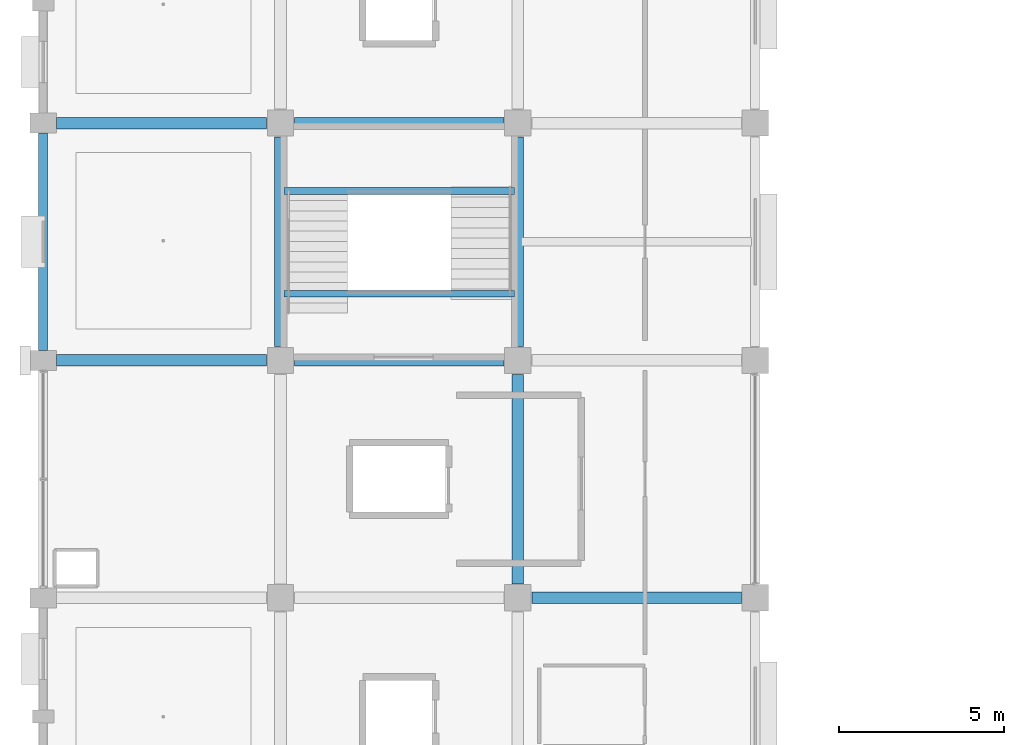
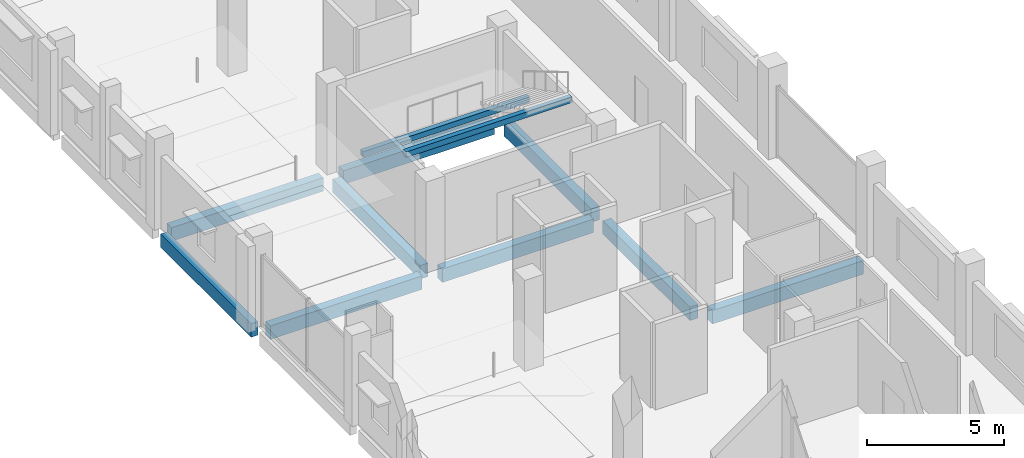
# One storey, part 8 of 108: 11 beams.
"""IFC4 building model written with IfcOpenShell, lengths in metres."""

import ifcopenshell
import ifcopenshell.guid

model = None  # the IFC model being written
_history = None  # IfcOwnerHistory: only IFC2X3 demands one
_inside = {}  # id of a spatial element -> (the spatial element, [elements in it])
_under = {}  # id of a project, library or spatial element -> (it, [spatial elements below it])
_declared = {}  # id of a project -> (the project, [libraries it declares])
_typed = {}  # id of a type object -> (the type object, [elements of that type])
_made_of = {}  # id of a material, layer set ... -> (it, [elements and type objects made of it])


def new_model(schema):
    """Start an empty IFC model of exactly this schema.

    Asked for "IFC4X3", IfcOpenShell would pick the latest addendum, in which some entities
    have other attributes; the version numbers below select the first issue.
    IFC2X3 requires an IfcOwnerHistory on every rooted entity: one is made here for all.
    """
    global model, _history
    if schema == "IFC4X3":
        model = ifcopenshell.file(schema_version=(4, 3, 0, 0))
    else:
        model = ifcopenshell.file(schema=schema)
    _inside.clear()
    _under.clear()
    _declared.clear()
    _typed.clear()
    _made_of.clear()
    _history = None
    if model.schema == "IFC2X3":
        org = make("IfcOrganization", Name="unknown")
        user = make(
            "IfcPersonAndOrganization",
            ThePerson=make("IfcPerson", FamilyName="unknown"),
            TheOrganization=org,
        )
        app = make(
            "IfcApplication",
            ApplicationDeveloper=org,
            Version="unknown",
            ApplicationFullName="unknown",
            ApplicationIdentifier="unknown",
        )
        _history = make(
            "IfcOwnerHistory",
            OwningUser=user,
            OwningApplication=app,
            ChangeAction="ADDED",
            CreationDate=0,
        )
    return model


def make(cls, **values):
    """One entity of the class cls with the attributes given. An attribute that is None is left unset."""
    return model.create_entity(
        cls, **{name: value for name, value in values.items() if value is not None}
    )


def rooted(cls, **values):
    """An entity with a GlobalId (a new one), such as an element, a storey or a relation."""
    return make(cls, GlobalId=ifcopenshell.guid.new(), OwnerHistory=_history, **values)


def si_unit(unit_type, name, prefix=None):
    """IfcSIUnit, for example si_unit("LENGTHUNIT", "METRE", prefix="MILLI")."""
    return make("IfcSIUnit", UnitType=unit_type, Prefix=prefix, Name=name)


def assignment(units):
    """IfcUnitAssignment: the units of a project."""
    return None if units is None else make("IfcUnitAssignment", Units=units)


def point(xyz):
    """IfcCartesianPoint."""
    return None if xyz is None else make("IfcCartesianPoint", Coordinates=xyz)


def direction(xyz):
    """IfcDirection."""
    return None if xyz is None else make("IfcDirection", DirectionRatios=xyz)


def frame(location, z_axis=None, x_axis=None):
    """IfcAxis2Placement3D, a coordinate frame: its origin and axes. An axis left out is left unset."""
    return make(
        "IfcAxis2Placement3D",
        Location=point(location),
        Axis=direction(z_axis),
        RefDirection=direction(x_axis),
    )


def frame_2d(location, x_axis=None):
    """IfcAxis2Placement2D, a coordinate frame in the plane: its origin and x axis."""
    return make(
        "IfcAxis2Placement2D", Location=point(location), RefDirection=direction(x_axis)
    )


def origin():
    """The frame at (0, 0, 0) with its axes left unset."""
    return frame((0.0, 0.0, 0.0))


def origin_2d():
    """The frame at (0, 0) in the plane with its x axis left unset."""
    return frame_2d((0.0, 0.0))


def place(relative_to, where):
    """IfcLocalPlacement: puts the frame where relative to a parent placement (None: the world)."""
    return make(
        "IfcLocalPlacement", PlacementRelTo=relative_to, RelativePlacement=where
    )


def context(
    kind, dimensions, precision=None, world=None, true_north=None, identifier=None
):
    """IfcGeometricRepresentationContext, for example the 3D "Model" context."""
    return make(
        "IfcGeometricRepresentationContext",
        ContextIdentifier=identifier,
        ContextType=kind,
        CoordinateSpaceDimension=dimensions,
        Precision=precision,
        WorldCoordinateSystem=world,
        TrueNorth=true_north,
    )


def subcontext(parent, identifier, kind, view, scale=None):
    """IfcGeometricRepresentationSubContext, for example "Body" below "Model"."""
    return make(
        "IfcGeometricRepresentationSubContext",
        ContextIdentifier=identifier,
        ContextType=kind,
        ParentContext=parent,
        TargetScale=scale,
        TargetView=view,
    )


def project(units=None, contexts=None):
    """IfcProject with its units and contexts."""
    return rooted(
        "IfcProject",
        Name="project",
        RepresentationContexts=contexts,
        UnitsInContext=assignment(units),
    )


def spatial(cls, under=None, at=None, **own):
    """A site, building, storey or space (cls), placed at a placement, below another one or the project."""
    s = rooted(cls, ObjectPlacement=at, **own)
    if under is not None:
        _under.setdefault(under.id(), (under, []))[1].append(s)
    return s


def profile(cls, at=None, kind="AREA", **sizes):
    """A parametric profile (cls). Its sizes go by their IFC names, for example OverallWidth=200.0."""
    return make(cls, ProfileType=kind, Position=at, **sizes)


def rectangle(**sizes):
    """IfcRectangleProfileDef."""
    return profile("IfcRectangleProfileDef", **sizes)


def extrude(swept, where, along, depth):
    """IfcExtrudedAreaSolid: the profile swept, set in the frame where, extruded along a direction by depth."""
    return make(
        "IfcExtrudedAreaSolid",
        SweptArea=swept,
        Position=where,
        ExtrudedDirection=direction(along),
        Depth=depth,
    )


def shape(context_of_items, identifier, shape_type, items):
    """IfcShapeRepresentation: the items that make up one representation, for example the "Body"."""
    return make(
        "IfcShapeRepresentation",
        ContextOfItems=context_of_items,
        RepresentationIdentifier=identifier,
        RepresentationType=shape_type,
        Items=items,
    )


def material(Name=None, Category=None):
    """IfcMaterial."""
    return make("IfcMaterial", Name=Name, Category=Category)


def material_profile(
    of_material, cross_section, Name=None, Category=None, Priority=None
):
    """IfcMaterialProfile: a cross section and its material."""
    return make(
        "IfcMaterialProfile",
        Name=Name,
        Material=of_material,
        Profile=cross_section,
        Priority=Priority,
        Category=Category,
    )


def profile_set(profiles, Name=None, composite=None):
    """IfcMaterialProfileSet."""
    return make(
        "IfcMaterialProfileSet",
        Name=Name,
        MaterialProfiles=profiles,
        CompositeProfile=composite,
    )


def made_of(thing, what):
    """Note that an element or type object is made of a material, layer set ...; save() writes the relation."""
    if what is not None:
        _made_of.setdefault(what.id(), (what, []))[1].append(thing)
    return thing


def type_object(cls, material=None, **own):
    """A type object (cls), such as IfcWallType, which elements share."""
    return made_of(rooted(cls, **own), material)


def element(
    cls,
    number,
    at=None,
    inside=None,
    cuts=None,
    type_object=None,
    material=None,
    context=None,
    identifier="Body",
    shape_type=None,
    held_by="IfcProductDefinitionShape",
    body=None,
    shapes=None,
    **own,
):
    """One element of the class cls, such as IfcWall. Its Tag is "e" and its number.

    at: its placement. inside: the storey or other place that contains it. cuts: it is an
    opening in that element (IfcRelVoidsElement). A single representation is given by context,
    identifier, shape_type and body (its items); several are given by shapes. held_by: the class
    of the entity that holds the representations. save() writes the other relations.
    """
    e = rooted(cls, Tag="e%d" % number, ObjectPlacement=at, **own)
    if body is not None:
        shapes = [shape(context, identifier, shape_type, body)]
    if shapes is not None:
        e.Representation = make(held_by, Representations=shapes)
    if inside is not None:
        _inside.setdefault(inside.id(), (inside, []))[1].append(e)
    if cuts is not None:
        rooted(
            "IfcRelVoidsElement", RelatingBuildingElement=cuts, RelatedOpeningElement=e
        )
    if type_object is not None:
        _typed.setdefault(type_object.id(), (type_object, []))[1].append(e)
    return made_of(e, material)


def aggregate(whole, parts):
    """IfcRelAggregates: a whole, such as a stair, and the parts it consists of."""
    return rooted("IfcRelAggregates", RelatingObject=whole, RelatedObjects=parts)


def save(model, path):
    """Write the relations noted so far, then the file.

    IfcRelAggregates (storeys below a building ...), IfcRelContainedInSpatialStructure (elements
    in a storey), IfcRelDefinesByType, IfcRelAssociatesMaterial and IfcRelDeclares: one each for
    every whole, place, type object, material and project.
    """
    for whole, parts in _under.values():
        aggregate(whole, parts)
    for where, things in _inside.values():
        rooted(
            "IfcRelContainedInSpatialStructure",
            RelatedElements=things,
            RelatingStructure=where,
        )
    for kind, things in _typed.values():
        rooted("IfcRelDefinesByType", RelatedObjects=things, RelatingType=kind)
    for what, things in _made_of.values():
        rooted("IfcRelAssociatesMaterial", RelatedObjects=things, RelatingMaterial=what)
    for by, libraries in _declared.values():
        rooted("IfcRelDeclares", RelatingContext=by, RelatedDefinitions=libraries)
    model.write(path)


model = new_model("IFC4")

# Units and contexts
model_context = context("Model", 3, precision=1e-05, world=origin(), true_north=direction((0.0, 1.0)))
body_context = subcontext(model_context, "Body", "Model", "MODEL_VIEW")
ifc_project = project(units=[si_unit("LENGTHUNIT", "METRE"), si_unit("AREAUNIT", "SQUARE_METRE"), si_unit("VOLUMEUNIT", "CUBIC_METRE"), si_unit("PLANEANGLEUNIT", "RADIAN"), si_unit("MASSUNIT", "GRAM", prefix="KILO")], contexts=[model_context])

# Site, building, storey
site_placement = place(None, origin())
site = spatial("IfcSite", under=ifc_project, at=site_placement, CompositionType="ELEMENT")
building_placement = place(site_placement, origin())
building = spatial("IfcBuilding", under=site, at=building_placement, Name="Kangsadwip Square Police Headquarters", CompositionType="ELEMENT")
storey_placement = place(building_placement, frame((0.0, 0.0, 9.449951171875)))
storey = spatial("IfcBuildingStorey", under=building, at=storey_placement, Name="L02", CompositionType="ELEMENT", Elevation=9.449951171875)

# Beams
ifc_material_1 = material(Name="Concrete M35 (35 MPa)", Category="concrete")
ifc_material_profile_1 = material_profile(ifc_material_1, rectangle(XDim=0.35009765625, YDim=0.60009765625, at=origin_2d()), Name="RC BM 600X350")
ifc_profile_set_1 = profile_set([ifc_material_profile_1], Name="Concrete M35 (35 MPa)")
beam_type_1 = type_object("IfcBeamType", Name="RcBeam600x350", PredefinedType="BEAM", material=ifc_profile_set_1)
beam_1_placement = place(storey_placement, frame((14.824951171875, 64.800048828125, -0.5400390625), z_axis=(1.0, 0.0, 0.0), x_axis=(0.0, 1.0, 0.0)))
element("IfcBeam", 1, at=beam_1_placement, inside=storey, type_object=beam_type_1, Name="Beam BM-L02-X-02-09", PredefinedType="BEAM", context=body_context, shape_type="SweptSolid", body=[
    extrude(rectangle(XDim=0.35009765625, YDim=0.60009765625, at=origin_2d()), origin(), (0.0, 0.0, 1.0), 6.35009765625),
])
beam_2_placement = place(storey_placement, frame((0.39990234375, 72.0, -0.5400390625), z_axis=(1.0, 0.0, 0.0), x_axis=(0.0, 1.0, 0.0)))
element("IfcBeam", 2, at=beam_2_placement, inside=storey, type_object=beam_type_1, Name="Beam BM-L02-X-00-10", PredefinedType="BEAM", context=body_context, shape_type="SweptSolid", body=[
    extrude(rectangle(XDim=0.35009765625, YDim=0.60009765625, at=origin_2d()), origin(), (0.0, 0.0, 1.0), 6.375),
])
beam_3_placement = place(storey_placement, frame((7.625, 72.0, -0.5400390625), z_axis=(1.0, 0.0, 0.0), x_axis=(0.0, 1.0, 0.0)))
element("IfcBeam", 3, at=beam_3_placement, inside=storey, type_object=beam_type_1, Name="Beam BM-L02-X-01-10", PredefinedType="BEAM", context=body_context, shape_type="SweptSolid", body=[
    extrude(rectangle(XDim=0.35009765625, YDim=0.60009765625, at=origin_2d()), origin(), (0.0, 0.0, 1.0), 6.35009765625),
])
beam_4_placement = place(storey_placement, frame((0.39990234375, 79.199951171875, -0.5400390625), z_axis=(1.0, 0.0, 0.0), x_axis=(0.0, 1.0, 0.0)))
element("IfcBeam", 4, at=beam_4_placement, inside=storey, type_object=beam_type_1, Name="Beam BM-L02-X-00-11", PredefinedType="BEAM", context=body_context, shape_type="SweptSolid", body=[
    extrude(rectangle(XDim=0.35009765625, YDim=0.60009765625, at=origin_2d()), origin(), (0.0, 0.0, 1.0), 6.375),
])
beam_5_placement = place(storey_placement, frame((7.625, 79.199951171875, -0.5400390625), z_axis=(1.0, 0.0, 0.0), x_axis=(0.0, 1.0, 0.0)))
element("IfcBeam", 5, at=beam_5_placement, inside=storey, type_object=beam_type_1, Name="Beam BM-L02-X-01-11", PredefinedType="BEAM", context=body_context, shape_type="SweptSolid", body=[
    extrude(rectangle(XDim=0.35009765625, YDim=0.60009765625, at=origin_2d()), origin(), (0.0, 0.0, 1.0), 6.35009765625),
])
for number, where, z_axis, x_axis, name in (
    (6, (7.199951171875, 72.425048828125, -0.5400390625), (0.0, 1.0, 0.0), (-1.0, 0.0, 0.0), "Beam BM-L02-Y-01-10"),
    (7, (14.39990234375, 65.22509765625, -0.5400390625), (0.0, 1.0, 0.0), (-1.0, 0.0, 0.0), "Beam BM-L02-Y-02-09"),
    (8, (14.39990234375, 72.425048828125, -0.5400390625), (0.0, 1.0, 0.0), (-1.0, 0.0, 0.0), "Beam BM-L02-Y-02-10"),
):
    element("IfcBeam", number, at=place(storey_placement, frame(where, z_axis=z_axis, x_axis=x_axis)), inside=storey, type_object=beam_type_1, Name=name, PredefinedType="BEAM", context=body_context, shape_type="SweptSolid", body=[
        extrude(rectangle(XDim=0.35009765625, YDim=0.60009765625, at=origin_2d()), origin(), (0.0, 0.0, 1.0), 6.349853515625),
    ])
ifc_material_2 = material(Name="Concrete M30 (30 MPa)", Category="concrete")
ifc_material_profile_2 = material_profile(ifc_material_2, rectangle(XDim=0.199951171875, YDim=0.25, at=origin_2d()), Name="RC LNT 250X200")
ifc_profile_set_2 = profile_set([ifc_material_profile_2], Name="Concrete M30 (30 MPa)")
beam_type_2 = type_object("IfcBeamType", Name="RcLintel250x200", PredefinedType="LINTEL", material=ifc_profile_set_2)
for number, where, z_axis, x_axis, name in (
    (9, (7.300048828125, 77.139892578125, 1.801025390625), (1.0, 0.0, 0.0), (0.0, 1.0, 0.0), "Stair Carriage and Landing Beam BM-ST-L02-027"),
    (10, (7.300048828125, 74.02001953125, 3.68505859375), (1.0, 0.0, 0.0), (0.0, 1.0, 0.0), "Stair Carriage and Landing Beam BM-ST-L02-028"),
):
    element("IfcBeam", number, at=place(storey_placement, frame(where, z_axis=z_axis, x_axis=x_axis)), inside=storey, type_object=beam_type_2, Name=name, PredefinedType="BEAM", context=body_context, shape_type="SweptSolid", body=[
        extrude(rectangle(XDim=0.199951171875, YDim=0.25, at=origin_2d()), origin(), (0.0, 0.0, 1.0), 7.0),
    ])
ifc_material_3 = material(Name="Concrete M40 (40 MPa)", Category="concrete")
ifc_material_profile_3 = material_profile(ifc_material_3, rectangle(XDim=0.280029296875, YDim=0.60009765625, at=origin_2d()), Name="RC SPN 600X280")
ifc_profile_set_3 = profile_set([ifc_material_profile_3], Name="Concrete M40 (40 MPa)")
beam_type_3 = type_object("IfcBeamType", Name="RcSpandrel600x280", PredefinedType="SPANDREL", material=ifc_profile_set_3)
beam_6_placement = place(storey_placement, frame((0.0, 72.300048828125, -0.5400390625), z_axis=(0.0, 1.0, 0.0), x_axis=(-1.0, 0.0, 0.0)))
element("IfcBeam", 11, at=beam_6_placement, inside=storey, type_object=beam_type_3, Name="Beam BM-L02-Y-00-10", PredefinedType="SPANDREL", context=body_context, shape_type="SweptSolid", body=[
    extrude(rectangle(XDim=0.280029296875, YDim=0.60009765625, at=origin_2d()), origin(), (0.0, 0.0, 1.0), 6.599853515625),
])

save(model, "model.ifc")
